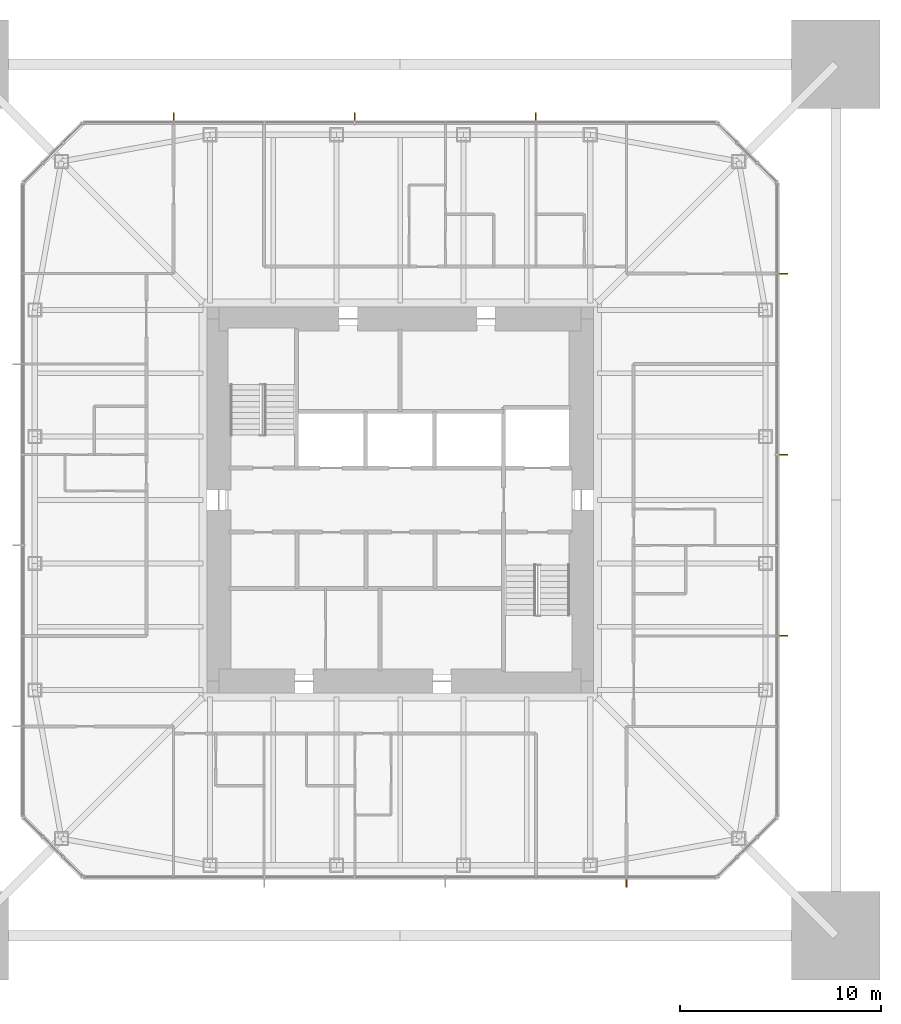
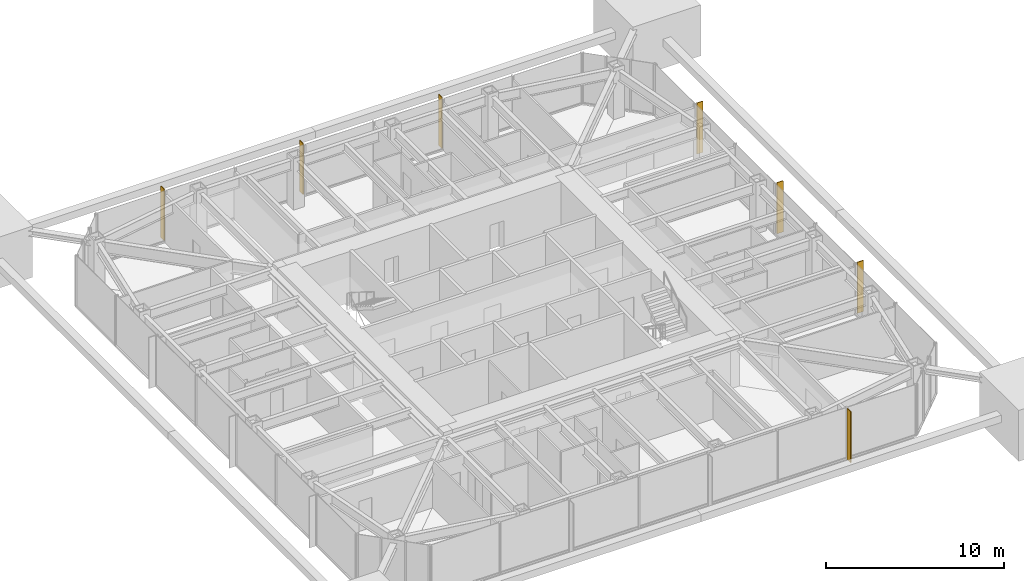
# One storey, part 13 of 13: 7 shading devices.
"""IFC4 building model written with IfcOpenShell, lengths in metres."""

from ifc_helpers import new_model, si_unit, direction, frame, origin, origin_2d, place, context, subcontext, project, spatial, rectangle, extrude, material, layer, layer_set, type_object, element, save


model = new_model("IFC4")

# Units and contexts
model_context = context("Model", 3, precision=1e-05, world=origin(), true_north=direction((0.0, 1.0)))
body_context = subcontext(model_context, "Body", "Model", "MODEL_VIEW")
ifc_project = project(units=[si_unit("LENGTHUNIT", "METRE"), si_unit("AREAUNIT", "SQUARE_METRE"), si_unit("VOLUMEUNIT", "CUBIC_METRE"), si_unit("PLANEANGLEUNIT", "RADIAN"), si_unit("MASSUNIT", "GRAM", prefix="KILO")], contexts=[model_context])

# Site, building, storey
site_placement = place(None, origin())
site = spatial("IfcSite", under=ifc_project, at=site_placement, CompositionType="ELEMENT")
building_placement = place(site_placement, origin())
building = spatial("IfcBuilding", under=site, at=building_placement, Name="Iwan Alto Co-Living Towers", CompositionType="ELEMENT")
storey_placement = place(building_placement, frame((0.0, 0.0, 191.5)))
storey = spatial("IfcBuildingStorey", under=building, at=storey_placement, Name="L52", CompositionType="ELEMENT", Elevation=191.5)

# Shading devices
ifc_material = material(Name="Aluminium 6063-T6 bronze anodised", Category="aluminium")
ifc_layer = layer(ifc_material, 0.050048828125)
ifc_layer_set = layer_set([ifc_layer], Name="BRONZE FIN 50X400")
shading_device_type = type_object("IfcShadingDeviceType", Name="BRONZE FIN 50X400", PredefinedType="USERDEFINED", material=ifc_layer_set)
for number, where, z_axis, x_axis, name in (
    (1, (11.25, -19.050048828125, 0.0), (0.0, 0.0, 1.0), (1.0, 0.0, 0.0), "Bronze fin L52"),
    (2, (19.050048828125, -6.75, 0.0), (0.0, 0.0, 1.0), (0.0, 1.0, 0.0), "Bronze fin L52"),
    (3, (19.050048828125, 2.25, 0.0), (0.0, 0.0, 1.0), (0.0, 1.0, 0.0), "Bronze fin L52"),
    (4, (19.050048828125, 11.25, 0.0), (0.0, 0.0, 1.0), (0.0, 1.0, 0.0), "Bronze fin L52"),
    (5, (6.75, 19.050048828125, 0.0), (0.0, 0.0, 1.0), (-1.0, 0.0, 0.0), "Bronze fin L52"),
    (6, (-2.25, 19.050048828125, 0.0), (0.0, 0.0, 1.0), (-1.0, 0.0, 0.0), "Bronze fin L52"),
    (7, (-11.25, 19.050048828125, 0.0), (0.0, 0.0, 1.0), (-1.0, 0.0, 0.0), "Bronze fin L52"),
):
    element("IfcShadingDevice", number, at=place(storey_placement, frame(where, z_axis=z_axis, x_axis=x_axis)), inside=storey, type_object=shading_device_type, Name=name, ObjectType="LOUVER", PredefinedType="USERDEFINED", context=body_context, shape_type="SweptSolid", body=[
        extrude(rectangle(XDim=0.050048828125, YDim=0.39990234375, at=origin_2d()), origin(), (0.0, 0.0, 1.0), 3.5),
    ])

save(model, "model.ifc")
